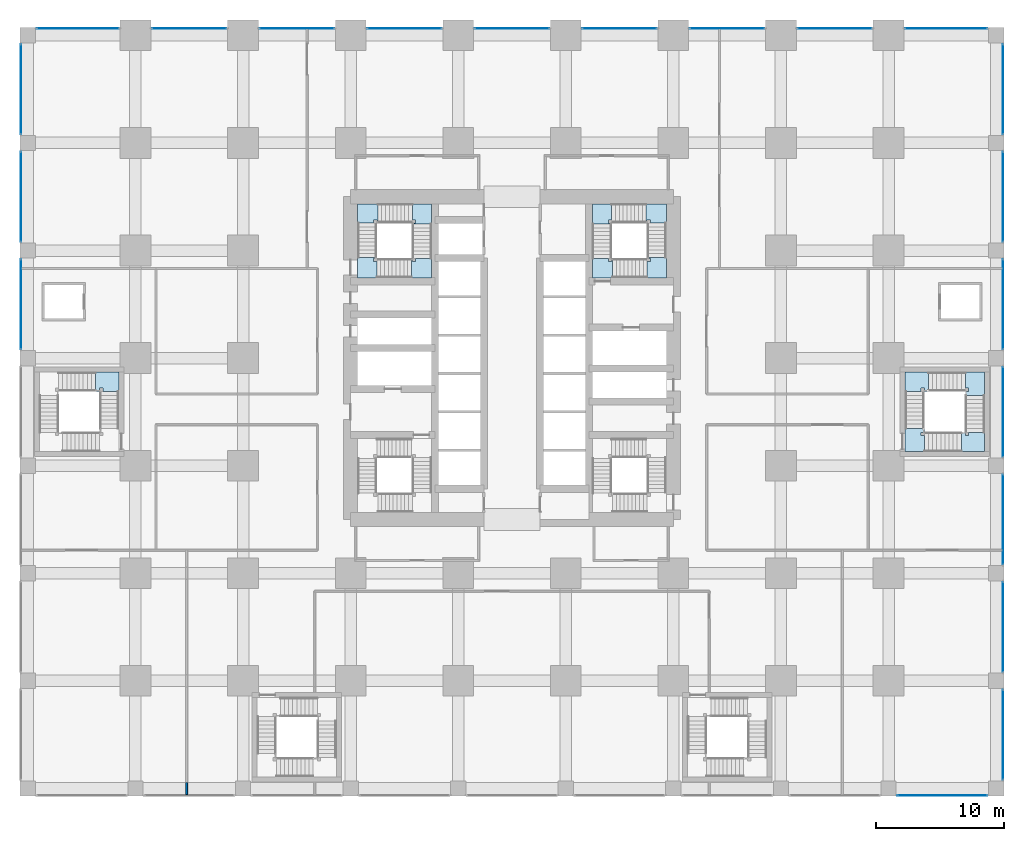
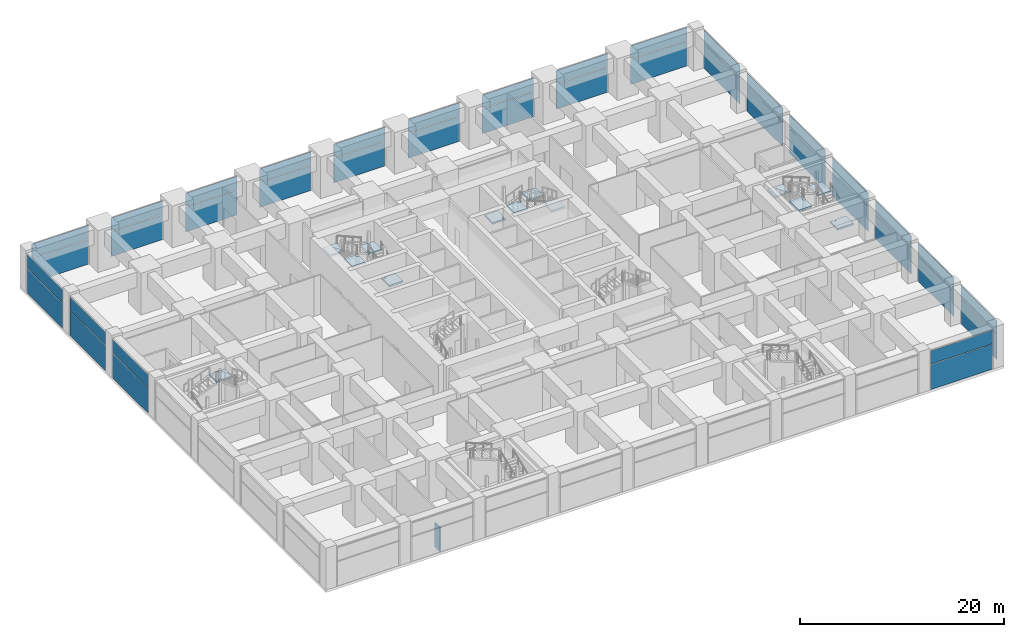
# One storey, part 35 of 49: 40 plates, 13 slabs, 1 wall, 24 elements without a shape of their own.
"""IFC4 building model written with IfcOpenShell, lengths in metres."""

from ifc_helpers import new_model, si_unit, direction, frame, frame_2d, origin, origin_2d, place, context, subcontext, project, spatial, polyline, rectangle, outline, extrude, material, layer, layer_set, type_object, element, aggregate, save


model = new_model("IFC4")

# Units and contexts
model_context = context("Model", 3, precision=1e-05, world=origin(), true_north=direction((0.0, 1.0)))
body_context = subcontext(model_context, "Body", "Model", "MODEL_VIEW")
ifc_project = project(units=[si_unit("LENGTHUNIT", "METRE"), si_unit("AREAUNIT", "SQUARE_METRE"), si_unit("VOLUMEUNIT", "CUBIC_METRE"), si_unit("PLANEANGLEUNIT", "RADIAN"), si_unit("MASSUNIT", "GRAM", prefix="KILO")], contexts=[model_context])

# Site, building, storey
site_placement = place(None, origin())
site = spatial("IfcSite", under=ifc_project, at=site_placement, CompositionType="ELEMENT")
building_placement = place(site_placement, origin())
building = spatial("IfcBuilding", under=site, at=building_placement, Name="Rekha Terrace Tower", CompositionType="ELEMENT")
storey_placement = place(building_placement, frame((0.0, 0.0, 5.39990234375)))
storey = spatial("IfcBuildingStorey", under=building, at=storey_placement, Name="L01", CompositionType="ELEMENT", Elevation=5.39990234375)

# Curtain wall, plates
ifc_material_1 = material(Name="Aluminium framing", Category="aluminium")
curtain_wall_type = type_object("IfcCurtainWallType", Name="CW4 podium shopfront glazing", PredefinedType="USERDEFINED", material=ifc_material_1)
curtain_wall_1_placement = place(storey_placement, origin())
curtain_wall_1 = element("IfcCurtainWall", 1, at=curtain_wall_1_placement, inside=storey, type_object=curtain_wall_type, Name="CW4 shopfront curtain wall", ObjectType="SHOPFRONT CURTAIN WALL", PredefinedType="USERDEFINED")
ifc_material_2 = material(Name="Laminated double-glazed unit 30", Category="glass")
ifc_layer_1 = layer(ifc_material_2, 0.030029296875)
ifc_layer_set_1 = layer_set([ifc_layer_1], Name="Laminated double-glazed unit 30")
plate_type = type_object("IfcPlateType", Name="CW4 jumbo vision panel, laminated double-glazed unit 30", PredefinedType="CURTAIN_PANEL", material=ifc_layer_set_1)
plate_1_placement = place(storey_placement, frame((71.39990234375, -0.5400390625, 0.000244140625), z_axis=(0.0, 0.0, 1.0), x_axis=(1.0, 0.0, 0.0)))
plate_1 = element("IfcPlate", 2, at=plate_1_placement, type_object=plate_type, Name="CW4 panel 1.1", PredefinedType="CURTAIN_PANEL", context=body_context, shape_type="SweptSolid", body=[
    extrude(rectangle(XDim=7.010009765625, YDim=0.030029296875, at=origin_2d()), origin(), (0.0, 0.0, 1.0), 2.96240234375),
])
plate_2_placement = place(storey_placement, frame((71.39990234375, -0.5400390625, 3.03759765625), z_axis=(0.0, 0.0, 1.0), x_axis=(1.0, 0.0, 0.0)))
plate_2 = element("IfcPlate", 3, at=plate_2_placement, type_object=plate_type, Name="CW4 panel 1.2", PredefinedType="CURTAIN_PANEL", context=body_context, shape_type="SweptSolid", body=[
    extrude(rectangle(XDim=7.010009765625, YDim=0.030029296875, at=origin_2d()), origin(), (0.0, 0.0, 1.0), 1.58740234375),
])
aggregate(curtain_wall_1, [plate_1, plate_2])

curtain_wall_2_placement = place(storey_placement, origin())
curtain_wall_2 = element("IfcCurtainWall", 4, at=curtain_wall_2_placement, inside=storey, type_object=curtain_wall_type, Name="CW4 shopfront curtain wall", ObjectType="SHOPFRONT CURTAIN WALL", PredefinedType="USERDEFINED")
plate_3_placement = place(storey_placement, frame((76.139892578125, 4.199951171875, 0.000244140625), z_axis=(0.0, 0.0, 1.0), x_axis=(0.0, 1.0, 0.0)))
plate_3 = element("IfcPlate", 5, at=plate_3_placement, type_object=plate_type, Name="CW4 panel 1.1", PredefinedType="CURTAIN_PANEL", context=body_context, shape_type="SweptSolid", body=[
    extrude(rectangle(XDim=7.010009765625, YDim=0.030029296875, at=origin_2d()), origin(), (0.0, 0.0, 1.0), 2.96240234375),
])
plate_4_placement = place(storey_placement, frame((76.139892578125, 4.199951171875, 3.03759765625), z_axis=(0.0, 0.0, 1.0), x_axis=(0.0, 1.0, 0.0)))
plate_4 = element("IfcPlate", 6, at=plate_4_placement, type_object=plate_type, Name="CW4 panel 1.2", PredefinedType="CURTAIN_PANEL", context=body_context, shape_type="SweptSolid", body=[
    extrude(rectangle(XDim=7.010009765625, YDim=0.030029296875, at=origin_2d()), origin(), (0.0, 0.0, 1.0), 1.58740234375),
])
aggregate(curtain_wall_2, [plate_3, plate_4])

curtain_wall_3_placement = place(storey_placement, origin())
curtain_wall_3 = element("IfcCurtainWall", 7, at=curtain_wall_3_placement, inside=storey, type_object=curtain_wall_type, Name="CW4 shopfront curtain wall", ObjectType="SHOPFRONT CURTAIN WALL", PredefinedType="USERDEFINED")
plate_5_placement = place(storey_placement, frame((76.139892578125, 12.60009765625, 0.000244140625), z_axis=(0.0, 0.0, 1.0), x_axis=(0.0, 1.0, 0.0)))
plate_5 = element("IfcPlate", 8, at=plate_5_placement, type_object=plate_type, Name="CW4 panel 1.1", PredefinedType="CURTAIN_PANEL", context=body_context, shape_type="SweptSolid", body=[
    extrude(rectangle(XDim=7.010009765625, YDim=0.030029296875, at=origin_2d()), origin(), (0.0, 0.0, 1.0), 2.96240234375),
])
plate_6_placement = place(storey_placement, frame((76.139892578125, 12.60009765625, 3.03759765625), z_axis=(0.0, 0.0, 1.0), x_axis=(0.0, 1.0, 0.0)))
plate_6 = element("IfcPlate", 9, at=plate_6_placement, type_object=plate_type, Name="CW4 panel 1.2", PredefinedType="CURTAIN_PANEL", context=body_context, shape_type="SweptSolid", body=[
    extrude(rectangle(XDim=7.010009765625, YDim=0.030029296875, at=origin_2d()), origin(), (0.0, 0.0, 1.0), 1.58740234375),
])
aggregate(curtain_wall_3, [plate_5, plate_6])

curtain_wall_4_placement = place(storey_placement, origin())
curtain_wall_4 = element("IfcCurtainWall", 10, at=curtain_wall_4_placement, inside=storey, type_object=curtain_wall_type, Name="CW4 shopfront curtain wall", ObjectType="SHOPFRONT CURTAIN WALL", PredefinedType="USERDEFINED")
plate_7_placement = place(storey_placement, frame((76.139892578125, 21.0, 0.000244140625), z_axis=(0.0, 0.0, 1.0), x_axis=(0.0, 1.0, 0.0)))
plate_7 = element("IfcPlate", 11, at=plate_7_placement, type_object=plate_type, Name="CW4 panel 1.1", PredefinedType="CURTAIN_PANEL", context=body_context, shape_type="SweptSolid", body=[
    extrude(rectangle(XDim=7.010009765625, YDim=0.030029296875, at=origin_2d()), origin(), (0.0, 0.0, 1.0), 2.96240234375),
])
plate_8_placement = place(storey_placement, frame((76.139892578125, 21.0, 3.03759765625), z_axis=(0.0, 0.0, 1.0), x_axis=(0.0, 1.0, 0.0)))
plate_8 = element("IfcPlate", 12, at=plate_8_placement, type_object=plate_type, Name="CW4 panel 1.2", PredefinedType="CURTAIN_PANEL", context=body_context, shape_type="SweptSolid", body=[
    extrude(rectangle(XDim=7.010009765625, YDim=0.030029296875, at=origin_2d()), origin(), (0.0, 0.0, 1.0), 1.58740234375),
])
aggregate(curtain_wall_4, [plate_7, plate_8])

curtain_wall_5_placement = place(storey_placement, origin())
curtain_wall_5 = element("IfcCurtainWall", 13, at=curtain_wall_5_placement, inside=storey, type_object=curtain_wall_type, Name="CW4 shopfront curtain wall", ObjectType="SHOPFRONT CURTAIN WALL", PredefinedType="USERDEFINED")
plate_9_placement = place(storey_placement, frame((76.139892578125, 29.39990234375, 0.000244140625), z_axis=(0.0, 0.0, 1.0), x_axis=(0.0, 1.0, 0.0)))
plate_9 = element("IfcPlate", 14, at=plate_9_placement, type_object=plate_type, Name="CW4 panel 1.1", PredefinedType="CURTAIN_PANEL", context=body_context, shape_type="SweptSolid", body=[
    extrude(rectangle(XDim=7.010009765625, YDim=0.030029296875, at=origin_2d()), origin(), (0.0, 0.0, 1.0), 2.96240234375),
])
plate_10_placement = place(storey_placement, frame((76.139892578125, 29.39990234375, 3.03759765625), z_axis=(0.0, 0.0, 1.0), x_axis=(0.0, 1.0, 0.0)))
plate_10 = element("IfcPlate", 15, at=plate_10_placement, type_object=plate_type, Name="CW4 panel 1.2", PredefinedType="CURTAIN_PANEL", context=body_context, shape_type="SweptSolid", body=[
    extrude(rectangle(XDim=7.010009765625, YDim=0.030029296875, at=origin_2d()), origin(), (0.0, 0.0, 1.0), 1.58740234375),
])
aggregate(curtain_wall_5, [plate_9, plate_10])

curtain_wall_6_placement = place(storey_placement, origin())
curtain_wall_6 = element("IfcCurtainWall", 16, at=curtain_wall_6_placement, inside=storey, type_object=curtain_wall_type, Name="CW4 shopfront curtain wall", ObjectType="SHOPFRONT CURTAIN WALL", PredefinedType="USERDEFINED")
plate_11_placement = place(storey_placement, frame((76.139892578125, 37.800048828125, 0.000244140625), z_axis=(0.0, 0.0, 1.0), x_axis=(0.0, 1.0, 0.0)))
plate_11 = element("IfcPlate", 17, at=plate_11_placement, type_object=plate_type, Name="CW4 panel 1.1", PredefinedType="CURTAIN_PANEL", context=body_context, shape_type="SweptSolid", body=[
    extrude(rectangle(XDim=7.010009765625, YDim=0.030029296875, at=origin_2d()), origin(), (0.0, 0.0, 1.0), 2.96240234375),
])
plate_12_placement = place(storey_placement, frame((76.139892578125, 37.800048828125, 3.03759765625), z_axis=(0.0, 0.0, 1.0), x_axis=(0.0, 1.0, 0.0)))
plate_12 = element("IfcPlate", 18, at=plate_12_placement, type_object=plate_type, Name="CW4 panel 1.2", PredefinedType="CURTAIN_PANEL", context=body_context, shape_type="SweptSolid", body=[
    extrude(rectangle(XDim=7.010009765625, YDim=0.030029296875, at=origin_2d()), origin(), (0.0, 0.0, 1.0), 1.58740234375),
])
aggregate(curtain_wall_6, [plate_11, plate_12])

curtain_wall_7_placement = place(storey_placement, origin())
curtain_wall_7 = element("IfcCurtainWall", 19, at=curtain_wall_7_placement, inside=storey, type_object=curtain_wall_type, Name="CW4 shopfront curtain wall", ObjectType="SHOPFRONT CURTAIN WALL", PredefinedType="USERDEFINED")
plate_13_placement = place(storey_placement, frame((76.139892578125, 46.199951171875, 0.000244140625), z_axis=(0.0, 0.0, 1.0), x_axis=(0.0, 1.0, 0.0)))
plate_13 = element("IfcPlate", 20, at=plate_13_placement, type_object=plate_type, Name="CW4 panel 1.1", PredefinedType="CURTAIN_PANEL", context=body_context, shape_type="SweptSolid", body=[
    extrude(rectangle(XDim=7.010009765625, YDim=0.030029296875, at=origin_2d()), origin(), (0.0, 0.0, 1.0), 2.96240234375),
])
plate_14_placement = place(storey_placement, frame((76.139892578125, 46.199951171875, 3.03759765625), z_axis=(0.0, 0.0, 1.0), x_axis=(0.0, 1.0, 0.0)))
plate_14 = element("IfcPlate", 21, at=plate_14_placement, type_object=plate_type, Name="CW4 panel 1.2", PredefinedType="CURTAIN_PANEL", context=body_context, shape_type="SweptSolid", body=[
    extrude(rectangle(XDim=7.010009765625, YDim=0.030029296875, at=origin_2d()), origin(), (0.0, 0.0, 1.0), 1.58740234375),
])
aggregate(curtain_wall_7, [plate_13, plate_14])

curtain_wall_8_placement = place(storey_placement, origin())
curtain_wall_8 = element("IfcCurtainWall", 22, at=curtain_wall_8_placement, inside=storey, type_object=curtain_wall_type, Name="CW4 shopfront curtain wall", ObjectType="SHOPFRONT CURTAIN WALL", PredefinedType="USERDEFINED")
plate_15_placement = place(storey_placement, frame((76.139892578125, 54.60009765625, 0.000244140625), z_axis=(0.0, 0.0, 1.0), x_axis=(0.0, 1.0, 0.0)))
plate_15 = element("IfcPlate", 23, at=plate_15_placement, type_object=plate_type, Name="CW4 panel 1.1", PredefinedType="CURTAIN_PANEL", context=body_context, shape_type="SweptSolid", body=[
    extrude(rectangle(XDim=7.010009765625, YDim=0.030029296875, at=origin_2d()), origin(), (0.0, 0.0, 1.0), 2.96240234375),
])
plate_16_placement = place(storey_placement, frame((76.139892578125, 54.60009765625, 3.03759765625), z_axis=(0.0, 0.0, 1.0), x_axis=(0.0, 1.0, 0.0)))
plate_16 = element("IfcPlate", 24, at=plate_16_placement, type_object=plate_type, Name="CW4 panel 1.2", PredefinedType="CURTAIN_PANEL", context=body_context, shape_type="SweptSolid", body=[
    extrude(rectangle(XDim=7.010009765625, YDim=0.030029296875, at=origin_2d()), origin(), (0.0, 0.0, 1.0), 1.58740234375),
])
aggregate(curtain_wall_8, [plate_15, plate_16])

curtain_wall_9_placement = place(storey_placement, origin())
curtain_wall_9 = element("IfcCurtainWall", 25, at=curtain_wall_9_placement, inside=storey, type_object=curtain_wall_type, Name="CW4 shopfront curtain wall", ObjectType="SHOPFRONT CURTAIN WALL", PredefinedType="USERDEFINED")
plate_17_placement = place(storey_placement, frame((71.699951171875, 59.340087890625, 0.000244140625), z_axis=(0.0, 0.0, 1.0), x_axis=(-1.0, 0.0, 0.0)))
plate_17 = element("IfcPlate", 26, at=plate_17_placement, type_object=plate_type, Name="CW4 panel 1.1", PredefinedType="CURTAIN_PANEL", context=body_context, shape_type="SweptSolid", body=[
    extrude(rectangle(XDim=6.409912109375, YDim=0.030029296875, at=origin_2d()), origin(), (0.0, 0.0, 1.0), 2.96240234375),
])
plate_18_placement = place(storey_placement, frame((71.699951171875, 59.340087890625, 3.03759765625), z_axis=(0.0, 0.0, 1.0), x_axis=(-1.0, 0.0, 0.0)))
plate_18 = element("IfcPlate", 27, at=plate_18_placement, type_object=plate_type, Name="CW4 panel 1.2", PredefinedType="CURTAIN_PANEL", context=body_context, shape_type="SweptSolid", body=[
    extrude(rectangle(XDim=6.409912109375, YDim=0.030029296875, at=origin_2d()), origin(), (0.0, 0.0, 1.0), 1.58740234375),
])
aggregate(curtain_wall_9, [plate_17, plate_18])

curtain_wall_10_placement = place(storey_placement, origin())
curtain_wall_10 = element("IfcCurtainWall", 28, at=curtain_wall_10_placement, inside=storey, type_object=curtain_wall_type, Name="CW4 shopfront curtain wall", ObjectType="SHOPFRONT CURTAIN WALL", PredefinedType="USERDEFINED")
plate_19_placement = place(storey_placement, frame((63.0, 59.340087890625, 0.000244140625), z_axis=(0.0, 0.0, 1.0), x_axis=(-1.0, 0.0, 0.0)))
plate_19 = element("IfcPlate", 29, at=plate_19_placement, type_object=plate_type, Name="CW4 panel 1.1", PredefinedType="CURTAIN_PANEL", context=body_context, shape_type="SweptSolid", body=[
    extrude(rectangle(XDim=5.81005859375, YDim=0.030029296875, at=origin_2d()), origin(), (0.0, 0.0, 1.0), 2.96240234375),
])
plate_20_placement = place(storey_placement, frame((63.0, 59.340087890625, 3.03759765625), z_axis=(0.0, 0.0, 1.0), x_axis=(-1.0, 0.0, 0.0)))
plate_20 = element("IfcPlate", 30, at=plate_20_placement, type_object=plate_type, Name="CW4 panel 1.2", PredefinedType="CURTAIN_PANEL", context=body_context, shape_type="SweptSolid", body=[
    extrude(rectangle(XDim=5.81005859375, YDim=0.030029296875, at=origin_2d()), origin(), (0.0, 0.0, 1.0), 1.58740234375),
])
aggregate(curtain_wall_10, [plate_19, plate_20])

curtain_wall_11_placement = place(storey_placement, origin())
curtain_wall_11 = element("IfcCurtainWall", 31, at=curtain_wall_11_placement, inside=storey, type_object=curtain_wall_type, Name="CW4 shopfront curtain wall", ObjectType="SHOPFRONT CURTAIN WALL", PredefinedType="USERDEFINED")
plate_21_placement = place(storey_placement, frame((54.60009765625, 59.340087890625, 0.000244140625), z_axis=(0.0, 0.0, 1.0), x_axis=(-1.0, 0.0, 0.0)))
plate_21 = element("IfcPlate", 32, at=plate_21_placement, type_object=plate_type, Name="CW4 panel 1.1", PredefinedType="CURTAIN_PANEL", context=body_context, shape_type="SweptSolid", body=[
    extrude(rectangle(XDim=5.81005859375, YDim=0.030029296875, at=origin_2d()), origin(), (0.0, 0.0, 1.0), 2.96240234375),
])
plate_22_placement = place(storey_placement, frame((54.60009765625, 59.340087890625, 3.03759765625), z_axis=(0.0, 0.0, 1.0), x_axis=(-1.0, 0.0, 0.0)))
plate_22 = element("IfcPlate", 33, at=plate_22_placement, type_object=plate_type, Name="CW4 panel 1.2", PredefinedType="CURTAIN_PANEL", context=body_context, shape_type="SweptSolid", body=[
    extrude(rectangle(XDim=5.81005859375, YDim=0.030029296875, at=origin_2d()), origin(), (0.0, 0.0, 1.0), 1.58740234375),
])
aggregate(curtain_wall_11, [plate_21, plate_22])

curtain_wall_12_placement = place(storey_placement, origin())
curtain_wall_12 = element("IfcCurtainWall", 34, at=curtain_wall_12_placement, inside=storey, type_object=curtain_wall_type, Name="CW4 shopfront curtain wall", ObjectType="SHOPFRONT CURTAIN WALL", PredefinedType="USERDEFINED")
plate_23_placement = place(storey_placement, frame((46.199951171875, 59.340087890625, 0.000244140625), z_axis=(0.0, 0.0, 1.0), x_axis=(-1.0, 0.0, 0.0)))
plate_23 = element("IfcPlate", 35, at=plate_23_placement, type_object=plate_type, Name="CW4 panel 1.1", PredefinedType="CURTAIN_PANEL", context=body_context, shape_type="SweptSolid", body=[
    extrude(rectangle(XDim=5.81005859375, YDim=0.030029296875, at=origin_2d()), origin(), (0.0, 0.0, 1.0), 2.96240234375),
])
plate_24_placement = place(storey_placement, frame((46.199951171875, 59.340087890625, 3.03759765625), z_axis=(0.0, 0.0, 1.0), x_axis=(-1.0, 0.0, 0.0)))
plate_24 = element("IfcPlate", 36, at=plate_24_placement, type_object=plate_type, Name="CW4 panel 1.2", PredefinedType="CURTAIN_PANEL", context=body_context, shape_type="SweptSolid", body=[
    extrude(rectangle(XDim=5.81005859375, YDim=0.030029296875, at=origin_2d()), origin(), (0.0, 0.0, 1.0), 1.58740234375),
])
aggregate(curtain_wall_12, [plate_23, plate_24])

curtain_wall_13_placement = place(storey_placement, origin())
curtain_wall_13 = element("IfcCurtainWall", 37, at=curtain_wall_13_placement, inside=storey, type_object=curtain_wall_type, Name="CW4 shopfront curtain wall", ObjectType="SHOPFRONT CURTAIN WALL", PredefinedType="USERDEFINED")
plate_25_placement = place(storey_placement, frame((37.800048828125, 59.340087890625, 0.000244140625), z_axis=(0.0, 0.0, 1.0), x_axis=(-1.0, 0.0, 0.0)))
plate_25 = element("IfcPlate", 38, at=plate_25_placement, type_object=plate_type, Name="CW4 panel 1.1", PredefinedType="CURTAIN_PANEL", context=body_context, shape_type="SweptSolid", body=[
    extrude(rectangle(XDim=5.81005859375, YDim=0.030029296875, at=origin_2d()), origin(), (0.0, 0.0, 1.0), 2.96240234375),
])
plate_26_placement = place(storey_placement, frame((37.800048828125, 59.340087890625, 3.03759765625), z_axis=(0.0, 0.0, 1.0), x_axis=(-1.0, 0.0, 0.0)))
plate_26 = element("IfcPlate", 39, at=plate_26_placement, type_object=plate_type, Name="CW4 panel 1.2", PredefinedType="CURTAIN_PANEL", context=body_context, shape_type="SweptSolid", body=[
    extrude(rectangle(XDim=5.81005859375, YDim=0.030029296875, at=origin_2d()), origin(), (0.0, 0.0, 1.0), 1.58740234375),
])
aggregate(curtain_wall_13, [plate_25, plate_26])

curtain_wall_14_placement = place(storey_placement, origin())
curtain_wall_14 = element("IfcCurtainWall", 40, at=curtain_wall_14_placement, inside=storey, type_object=curtain_wall_type, Name="CW4 shopfront curtain wall", ObjectType="SHOPFRONT CURTAIN WALL", PredefinedType="USERDEFINED")
plate_27_placement = place(storey_placement, frame((29.39990234375, 59.340087890625, 0.000244140625), z_axis=(0.0, 0.0, 1.0), x_axis=(-1.0, 0.0, 0.0)))
plate_27 = element("IfcPlate", 41, at=plate_27_placement, type_object=plate_type, Name="CW4 panel 1.1", PredefinedType="CURTAIN_PANEL", context=body_context, shape_type="SweptSolid", body=[
    extrude(rectangle(XDim=5.81005859375, YDim=0.030029296875, at=origin_2d()), origin(), (0.0, 0.0, 1.0), 2.96240234375),
])
plate_28_placement = place(storey_placement, frame((29.39990234375, 59.340087890625, 3.03759765625), z_axis=(0.0, 0.0, 1.0), x_axis=(-1.0, 0.0, 0.0)))
plate_28 = element("IfcPlate", 42, at=plate_28_placement, type_object=plate_type, Name="CW4 panel 1.2", PredefinedType="CURTAIN_PANEL", context=body_context, shape_type="SweptSolid", body=[
    extrude(rectangle(XDim=5.81005859375, YDim=0.030029296875, at=origin_2d()), origin(), (0.0, 0.0, 1.0), 1.58740234375),
])
aggregate(curtain_wall_14, [plate_27, plate_28])

curtain_wall_15_placement = place(storey_placement, origin())
curtain_wall_15 = element("IfcCurtainWall", 43, at=curtain_wall_15_placement, inside=storey, type_object=curtain_wall_type, Name="CW4 shopfront curtain wall", ObjectType="SHOPFRONT CURTAIN WALL", PredefinedType="USERDEFINED")
plate_29_placement = place(storey_placement, frame((21.0, 59.340087890625, 0.000244140625), z_axis=(0.0, 0.0, 1.0), x_axis=(-1.0, 0.0, 0.0)))
plate_29 = element("IfcPlate", 44, at=plate_29_placement, type_object=plate_type, Name="CW4 panel 1.1", PredefinedType="CURTAIN_PANEL", context=body_context, shape_type="SweptSolid", body=[
    extrude(rectangle(XDim=5.81005859375, YDim=0.030029296875, at=origin_2d()), origin(), (0.0, 0.0, 1.0), 2.96240234375),
])
plate_30_placement = place(storey_placement, frame((21.0, 59.340087890625, 3.03759765625), z_axis=(0.0, 0.0, 1.0), x_axis=(-1.0, 0.0, 0.0)))
plate_30 = element("IfcPlate", 45, at=plate_30_placement, type_object=plate_type, Name="CW4 panel 1.2", PredefinedType="CURTAIN_PANEL", context=body_context, shape_type="SweptSolid", body=[
    extrude(rectangle(XDim=5.81005859375, YDim=0.030029296875, at=origin_2d()), origin(), (0.0, 0.0, 1.0), 1.58740234375),
])
aggregate(curtain_wall_15, [plate_29, plate_30])

curtain_wall_16_placement = place(storey_placement, origin())
curtain_wall_16 = element("IfcCurtainWall", 46, at=curtain_wall_16_placement, inside=storey, type_object=curtain_wall_type, Name="CW4 shopfront curtain wall", ObjectType="SHOPFRONT CURTAIN WALL", PredefinedType="USERDEFINED")
plate_31_placement = place(storey_placement, frame((12.60009765625, 59.340087890625, 0.000244140625), z_axis=(0.0, 0.0, 1.0), x_axis=(-1.0, 0.0, 0.0)))
plate_31 = element("IfcPlate", 47, at=plate_31_placement, type_object=plate_type, Name="CW4 panel 1.1", PredefinedType="CURTAIN_PANEL", context=body_context, shape_type="SweptSolid", body=[
    extrude(rectangle(XDim=5.81005859375, YDim=0.030029296875, at=origin_2d()), origin(), (0.0, 0.0, 1.0), 2.96240234375),
])
plate_32_placement = place(storey_placement, frame((12.60009765625, 59.340087890625, 3.03759765625), z_axis=(0.0, 0.0, 1.0), x_axis=(-1.0, 0.0, 0.0)))
plate_32 = element("IfcPlate", 48, at=plate_32_placement, type_object=plate_type, Name="CW4 panel 1.2", PredefinedType="CURTAIN_PANEL", context=body_context, shape_type="SweptSolid", body=[
    extrude(rectangle(XDim=5.81005859375, YDim=0.030029296875, at=origin_2d()), origin(), (0.0, 0.0, 1.0), 1.58740234375),
])
aggregate(curtain_wall_16, [plate_31, plate_32])

curtain_wall_17_placement = place(storey_placement, origin())
curtain_wall_17 = element("IfcCurtainWall", 49, at=curtain_wall_17_placement, inside=storey, type_object=curtain_wall_type, Name="CW4 shopfront curtain wall", ObjectType="SHOPFRONT CURTAIN WALL", PredefinedType="USERDEFINED")
plate_33_placement = place(storey_placement, frame((3.89990234375, 59.340087890625, 0.000244140625), z_axis=(0.0, 0.0, 1.0), x_axis=(-1.0, 0.0, 0.0)))
plate_33 = element("IfcPlate", 50, at=plate_33_placement, type_object=plate_type, Name="CW4 panel 1.1", PredefinedType="CURTAIN_PANEL", context=body_context, shape_type="SweptSolid", body=[
    extrude(rectangle(XDim=6.409912109375, YDim=0.030029296875, at=origin_2d()), origin(), (0.0, 0.0, 1.0), 2.96240234375),
])
plate_34_placement = place(storey_placement, frame((3.89990234375, 59.340087890625, 3.03759765625), z_axis=(0.0, 0.0, 1.0), x_axis=(-1.0, 0.0, 0.0)))
plate_34 = element("IfcPlate", 51, at=plate_34_placement, type_object=plate_type, Name="CW4 panel 1.2", PredefinedType="CURTAIN_PANEL", context=body_context, shape_type="SweptSolid", body=[
    extrude(rectangle(XDim=6.409912109375, YDim=0.030029296875, at=origin_2d()), origin(), (0.0, 0.0, 1.0), 1.58740234375),
])
aggregate(curtain_wall_17, [plate_33, plate_34])

curtain_wall_18_placement = place(storey_placement, origin())
curtain_wall_18 = element("IfcCurtainWall", 52, at=curtain_wall_18_placement, inside=storey, type_object=curtain_wall_type, Name="CW4 shopfront curtain wall", ObjectType="SHOPFRONT CURTAIN WALL", PredefinedType="USERDEFINED")
plate_35_placement = place(storey_placement, frame((-0.5400390625, 54.60009765625, 0.000244140625), z_axis=(0.0, 0.0, 1.0), x_axis=(0.0, -1.0, 0.0)))
plate_35 = element("IfcPlate", 53, at=plate_35_placement, type_object=plate_type, Name="CW4 panel 1.1", PredefinedType="CURTAIN_PANEL", context=body_context, shape_type="SweptSolid", body=[
    extrude(rectangle(XDim=7.010009765625, YDim=0.030029296875, at=origin_2d()), origin(), (0.0, 0.0, 1.0), 2.96240234375),
])
plate_36_placement = place(storey_placement, frame((-0.5400390625, 54.60009765625, 3.03759765625), z_axis=(0.0, 0.0, 1.0), x_axis=(0.0, -1.0, 0.0)))
plate_36 = element("IfcPlate", 54, at=plate_36_placement, type_object=plate_type, Name="CW4 panel 1.2", PredefinedType="CURTAIN_PANEL", context=body_context, shape_type="SweptSolid", body=[
    extrude(rectangle(XDim=7.010009765625, YDim=0.030029296875, at=origin_2d()), origin(), (0.0, 0.0, 1.0), 1.58740234375),
])
aggregate(curtain_wall_18, [plate_35, plate_36])

curtain_wall_19_placement = place(storey_placement, origin())
curtain_wall_19 = element("IfcCurtainWall", 55, at=curtain_wall_19_placement, inside=storey, type_object=curtain_wall_type, Name="CW4 shopfront curtain wall", ObjectType="SHOPFRONT CURTAIN WALL", PredefinedType="USERDEFINED")
plate_37_placement = place(storey_placement, frame((-0.5400390625, 46.199951171875, 0.000244140625), z_axis=(0.0, 0.0, 1.0), x_axis=(0.0, -1.0, 0.0)))
plate_37 = element("IfcPlate", 56, at=plate_37_placement, type_object=plate_type, Name="CW4 panel 1.1", PredefinedType="CURTAIN_PANEL", context=body_context, shape_type="SweptSolid", body=[
    extrude(rectangle(XDim=7.010009765625, YDim=0.030029296875, at=origin_2d()), origin(), (0.0, 0.0, 1.0), 2.96240234375),
])
plate_38_placement = place(storey_placement, frame((-0.5400390625, 46.199951171875, 3.03759765625), z_axis=(0.0, 0.0, 1.0), x_axis=(0.0, -1.0, 0.0)))
plate_38 = element("IfcPlate", 57, at=plate_38_placement, type_object=plate_type, Name="CW4 panel 1.2", PredefinedType="CURTAIN_PANEL", context=body_context, shape_type="SweptSolid", body=[
    extrude(rectangle(XDim=7.010009765625, YDim=0.030029296875, at=origin_2d()), origin(), (0.0, 0.0, 1.0), 1.58740234375),
])
aggregate(curtain_wall_19, [plate_37, plate_38])

curtain_wall_20_placement = place(storey_placement, origin())
curtain_wall_20 = element("IfcCurtainWall", 58, at=curtain_wall_20_placement, inside=storey, type_object=curtain_wall_type, Name="CW4 shopfront curtain wall", ObjectType="SHOPFRONT CURTAIN WALL", PredefinedType="USERDEFINED")
plate_39_placement = place(storey_placement, frame((-0.5400390625, 37.800048828125, 0.000244140625), z_axis=(0.0, 0.0, 1.0), x_axis=(0.0, -1.0, 0.0)))
plate_39 = element("IfcPlate", 59, at=plate_39_placement, type_object=plate_type, Name="CW4 panel 1.1", PredefinedType="CURTAIN_PANEL", context=body_context, shape_type="SweptSolid", body=[
    extrude(rectangle(XDim=7.010009765625, YDim=0.030029296875, at=origin_2d()), origin(), (0.0, 0.0, 1.0), 2.96240234375),
])
plate_40_placement = place(storey_placement, frame((-0.5400390625, 37.800048828125, 3.03759765625), z_axis=(0.0, 0.0, 1.0), x_axis=(0.0, -1.0, 0.0)))
plate_40 = element("IfcPlate", 60, at=plate_40_placement, type_object=plate_type, Name="CW4 panel 1.2", PredefinedType="CURTAIN_PANEL", context=body_context, shape_type="SweptSolid", body=[
    extrude(rectangle(XDim=7.010009765625, YDim=0.030029296875, at=origin_2d()), origin(), (0.0, 0.0, 1.0), 1.58740234375),
])
aggregate(curtain_wall_20, [plate_39, plate_40])

# Stair, slab
ifc_material_3 = material(Name="Concrete M40", Category="concrete")
stair_type_1 = type_object("IfcStairType", Name="ST40 stair, 40 risers of 125, going 320, 1500 wide flights, 4 flights", PredefinedType="QUARTER_TURN_STAIR", material=ifc_material_3)
stair_1_placement = place(storey_placement, origin())
stair_1 = element("IfcStair", 61, at=stair_1_placement, inside=storey, type_object=stair_type_1, Name="Stair SP1 L01 to L02", PredefinedType="QUARTER_TURN_STAIR")
ifc_layer_2 = layer(ifc_material_3, 0.199951171875)
ifc_layer_set_2 = layer_set([ifc_layer_2], Name="Concrete M40")
slab_type = type_object("IfcSlabType", Name="LD1 200 concrete stair landing", PredefinedType="LANDING", material=ifc_layer_set_2)
slab_1_placement = place(storey_placement, frame((0.0, 0.0, 3.550048828125)))
slab_1 = element("IfcSlab", 62, at=slab_1_placement, type_object=slab_type, Name="SP1 landing 3", PredefinedType="LANDING", context=body_context, shape_type="SweptSolid", body=[
    extrude(outline(polyline([(7.10009765625, 31.0), (7.10009765625, 32.5), (5.280029296875, 32.5), (5.280029296875, 31.0), (5.60009765625, 31.0), (5.60009765625, 31.25), (5.85009765625, 31.25), (5.85009765625, 31.0), (7.10009765625, 31.0)])), origin(), (0.0, 0.0, 1.0), 0.199951171875),
])
aggregate(stair_1, [slab_1])

# Stair, slabs
stair_2_placement = place(storey_placement, origin())
stair_2 = element("IfcStair", 63, at=stair_2_placement, inside=storey, type_object=stair_type_1, Name="Stair SP2 L01 to L02", PredefinedType="QUARTER_TURN_STAIR")
slab_2_placement = place(storey_placement, frame((0.0, 0.0, 1.050048828125)))
slab_2 = element("IfcSlab", 64, at=slab_2_placement, type_object=slab_type, Name="SP2 landing 1", PredefinedType="LANDING", context=body_context, shape_type="SweptSolid", body=[
    extrude(outline(polyline([(74.699951171875, 27.800048828125), (74.699951171875, 26.300048828125), (72.8798828125, 26.300048828125), (72.8798828125, 27.800048828125), (73.199951171875, 27.800048828125), (73.199951171875, 27.550048828125), (73.449951171875, 27.550048828125), (73.449951171875, 27.800048828125), (74.699951171875, 27.800048828125)])), origin(), (0.0, 0.0, 1.0), 0.199951171875),
])
slab_3_placement = place(storey_placement, frame((0.0, 0.0, 2.300048828125)))
slab_3 = element("IfcSlab", 65, at=slab_3_placement, type_object=slab_type, Name="SP2 landing 2", PredefinedType="LANDING", context=body_context, shape_type="SweptSolid", body=[
    extrude(outline(polyline([(73.199951171875, 32.5), (74.699951171875, 32.5), (74.699951171875, 30.679931640625), (73.199951171875, 30.679931640625), (73.199951171875, 31.0), (73.449951171875, 31.0), (73.449951171875, 31.25), (73.199951171875, 31.25), (73.199951171875, 32.5)])), origin(), (0.0, 0.0, 1.0), 0.199951171875),
])
slab_4_placement = place(storey_placement, frame((0.0, 0.0, 3.550048828125)))
slab_4 = element("IfcSlab", 66, at=slab_4_placement, type_object=slab_type, Name="SP2 landing 3", PredefinedType="LANDING", context=body_context, shape_type="SweptSolid", body=[
    extrude(outline(polyline([(68.5, 31.0), (68.5, 32.5), (70.320068359375, 32.5), (70.320068359375, 31.0), (70.0, 31.0), (70.0, 31.25), (69.75, 31.25), (69.75, 31.0), (68.5, 31.0)])), origin(), (0.0, 0.0, 1.0), 0.199951171875),
])
slab_5_placement = place(storey_placement, frame((0.0, 0.0, 4.800048828125)))
slab_5 = element("IfcSlab", 67, at=slab_5_placement, type_object=slab_type, Name="SP2 landing 4", PredefinedType="LANDING", context=body_context, shape_type="SweptSolid", body=[
    extrude(outline(polyline([(70.0, 26.300048828125), (68.5, 26.300048828125), (68.5, 28.1201171875), (70.0, 28.1201171875), (70.0, 27.800048828125), (69.75, 27.800048828125), (69.75, 27.550048828125), (70.0, 27.550048828125), (70.0, 26.300048828125)])), origin(), (0.0, 0.0, 1.0), 0.199951171875),
])
aggregate(stair_2, [slab_2, slab_3, slab_4, slab_5])

stair_type_2 = type_object("IfcStairType", Name="ST40 stair, 40 risers of 125, going 300, 1500 wide flights, 4 flights", PredefinedType="QUARTER_TURN_STAIR", material=ifc_material_3)
stair_3_placement = place(storey_placement, origin())
stair_3 = element("IfcStair", 68, at=stair_3_placement, inside=storey, type_object=stair_type_2, Name="Stair ST2 L01 to L02", PredefinedType="QUARTER_TURN_STAIR")
slab_6_placement = place(storey_placement, frame((0.0, 0.0, 1.050048828125)))
slab_6 = element("IfcSlab", 69, at=slab_6_placement, type_object=slab_type, Name="ST2 landing 1", PredefinedType="LANDING", context=body_context, shape_type="SweptSolid", body=[
    extrude(outline(polyline([(45.574951171875, 45.64990234375), (44.074951171875, 45.64990234375), (44.074951171875, 44.074951171875), (45.574951171875, 44.074951171875), (45.574951171875, 44.14990234375), (45.324951171875, 44.14990234375), (45.324951171875, 44.39990234375), (45.574951171875, 44.39990234375), (45.574951171875, 45.64990234375)])), origin(), (0.0, 0.0, 1.0), 0.199951171875),
])
slab_7_placement = place(storey_placement, frame((0.0, 0.0, 2.300048828125)))
slab_7 = element("IfcSlab", 70, at=slab_7_placement, type_object=slab_type, Name="ST2 landing 2", PredefinedType="LANDING", context=body_context, shape_type="SweptSolid", body=[
    extrude(outline(polyline([(49.85009765625, 44.14990234375), (49.85009765625, 45.64990234375), (48.27490234375, 45.64990234375), (48.27490234375, 44.14990234375), (48.35009765625, 44.14990234375), (48.35009765625, 44.39990234375), (48.60009765625, 44.39990234375), (48.60009765625, 44.14990234375), (49.85009765625, 44.14990234375)])), origin(), (0.0, 0.0, 1.0), 0.199951171875),
])
slab_8_placement = place(storey_placement, frame((0.0, 0.0, 3.550048828125)))
slab_8 = element("IfcSlab", 71, at=slab_8_placement, type_object=slab_type, Name="ST2 landing 3", PredefinedType="LANDING", context=body_context, shape_type="SweptSolid", body=[
    extrude(outline(polyline([(48.35009765625, 39.875), (49.85009765625, 39.875), (49.85009765625, 41.449951171875), (48.35009765625, 41.449951171875), (48.35009765625, 41.375), (48.60009765625, 41.375), (48.60009765625, 41.125), (48.35009765625, 41.125), (48.35009765625, 39.875)])), origin(), (0.0, 0.0, 1.0), 0.199951171875),
])
slab_9_placement = place(storey_placement, frame((0.0, 0.0, 4.800048828125)))
slab_9 = element("IfcSlab", 72, at=slab_9_placement, type_object=slab_type, Name="ST2 landing 4", PredefinedType="LANDING", context=body_context, shape_type="SweptSolid", body=[
    extrude(outline(polyline([(44.074951171875, 41.375), (44.074951171875, 39.875), (45.64990234375, 39.875), (45.64990234375, 41.375), (45.574951171875, 41.375), (45.574951171875, 41.125), (45.324951171875, 41.125), (45.324951171875, 41.375), (44.074951171875, 41.375)])), origin(), (0.0, 0.0, 1.0), 0.199951171875),
])
aggregate(stair_3, [slab_6, slab_7, slab_8, slab_9])

stair_4_placement = place(storey_placement, origin())
stair_4 = element("IfcStair", 73, at=stair_4_placement, inside=storey, type_object=stair_type_2, Name="Stair ST4 L01 to L02", PredefinedType="QUARTER_TURN_STAIR")
slab_10_placement = place(storey_placement, frame((0.0, 0.0, 1.050048828125)))
slab_10 = element("IfcSlab", 74, at=slab_10_placement, type_object=slab_type, Name="ST4 landing 1", PredefinedType="LANDING", context=body_context, shape_type="SweptSolid", body=[
    extrude(outline(polyline([(31.52490234375, 41.375), (31.52490234375, 39.875), (29.949951171875, 39.875), (29.949951171875, 41.375), (30.02490234375, 41.375), (30.02490234375, 41.125), (30.27490234375, 41.125), (30.27490234375, 41.375), (31.52490234375, 41.375)])), origin(), (0.0, 0.0, 1.0), 0.199951171875),
])
slab_11_placement = place(storey_placement, frame((0.0, 0.0, 2.300048828125)))
slab_11 = element("IfcSlab", 75, at=slab_11_placement, type_object=slab_type, Name="ST4 landing 2", PredefinedType="LANDING", context=body_context, shape_type="SweptSolid", body=[
    extrude(outline(polyline([(30.02490234375, 45.64990234375), (31.52490234375, 45.64990234375), (31.52490234375, 44.074951171875), (30.02490234375, 44.074951171875), (30.02490234375, 44.14990234375), (30.27490234375, 44.14990234375), (30.27490234375, 44.39990234375), (30.02490234375, 44.39990234375), (30.02490234375, 45.64990234375)])), origin(), (0.0, 0.0, 1.0), 0.199951171875),
])
slab_12_placement = place(storey_placement, frame((0.0, 0.0, 3.550048828125)))
slab_12 = element("IfcSlab", 76, at=slab_12_placement, type_object=slab_type, Name="ST4 landing 3", PredefinedType="LANDING", context=body_context, shape_type="SweptSolid", body=[
    extrude(outline(polyline([(25.75, 44.14990234375), (25.75, 45.64990234375), (27.324951171875, 45.64990234375), (27.324951171875, 44.14990234375), (27.25, 44.14990234375), (27.25, 44.39990234375), (27.0, 44.39990234375), (27.0, 44.14990234375), (25.75, 44.14990234375)])), origin(), (0.0, 0.0, 1.0), 0.199951171875),
])
slab_13_placement = place(storey_placement, frame((0.0, 0.0, 4.800048828125)))
slab_13 = element("IfcSlab", 77, at=slab_13_placement, type_object=slab_type, Name="ST4 landing 4", PredefinedType="LANDING", context=body_context, shape_type="SweptSolid", body=[
    extrude(outline(polyline([(27.25, 39.875), (25.75, 39.875), (25.75, 41.449951171875), (27.25, 41.449951171875), (27.25, 41.375), (27.0, 41.375), (27.0, 41.125), (27.25, 41.125), (27.25, 39.875)])), origin(), (0.0, 0.0, 1.0), 0.199951171875),
])
aggregate(stair_4, [slab_10, slab_11, slab_12, slab_13])

# Wall
ifc_material_4 = material(Name="Concrete block masonry, 1 hour", Category="masonry")
ifc_layer_3 = layer(ifc_material_4, 0.14990234375)
ifc_layer_set_3 = layer_set([ifc_layer_3], Name="Concrete block masonry, 1 hour")
wall_type = type_object("IfcWallType", Name="WP2 150 tenancy partition", PredefinedType="PARTITIONING", material=ifc_layer_set_3)
wall_placement = place(storey_placement, frame((12.39990234375, 0.4599609375, 0.0), z_axis=(0.0, 0.0, 1.0), x_axis=(0.0, -1.0, 0.0)))
element("IfcWall", 78, at=wall_placement, inside=storey, type_object=wall_type, Name="Partition L01-05", PredefinedType="PARTITIONING", context=body_context, shape_type="SweptSolid", body=[
    extrude(rectangle(XDim=0.949951171875, YDim=0.14990234375, at=frame_2d((0.47509765625, 0.0))), origin(), (0.0, 0.0, 1.0), 2.900146484375),
])

save(model, "model.ifc")
